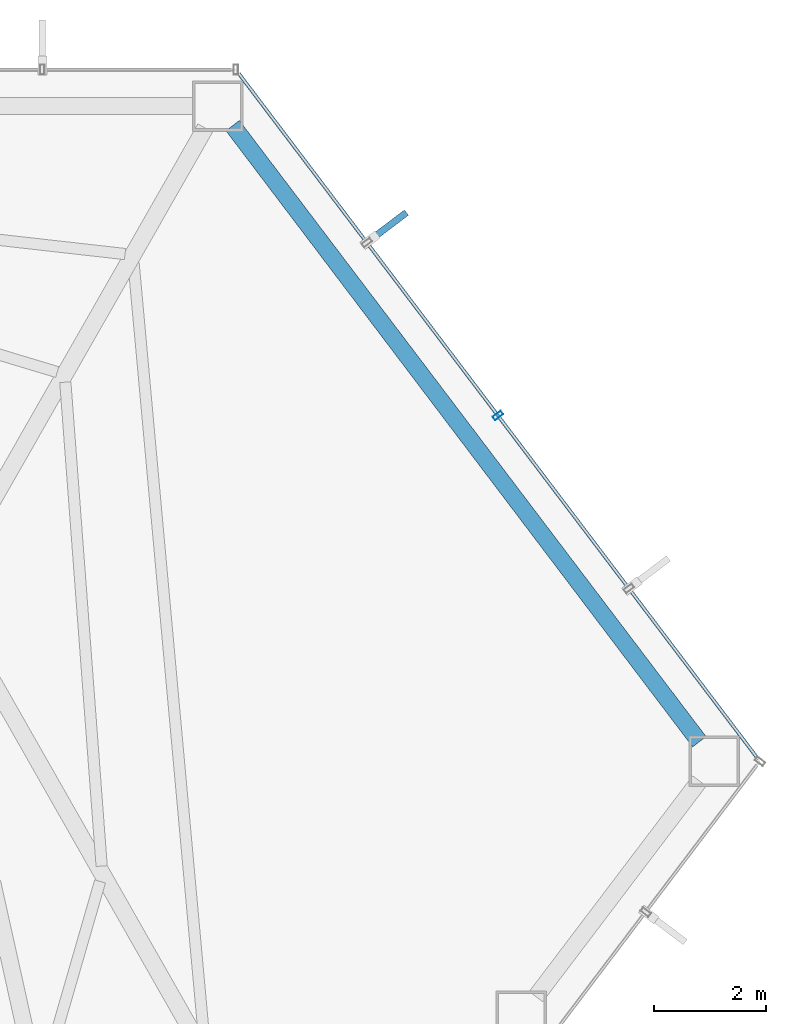
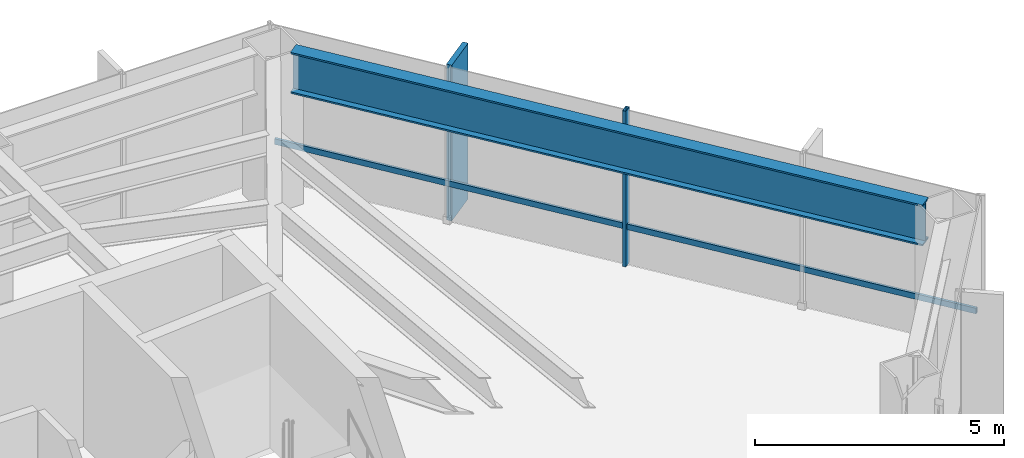
# One storey, part 19 of 24: 3 members, 1 beam, 1 element without a shape of its own.
"""IFC4 building model written with IfcOpenShell, lengths in metres."""

from ifc_helpers import new_model, si_unit, direction, frame, origin, origin_2d, place, context, subcontext, project, spatial, rectangle, hollow_rectangle, i_section, extrude, material, layer, layer_set, material_profile, profile_set, type_object, element, aggregate, save


model = new_model("IFC4")

# Units and contexts
model_context = context("Model", 3, precision=1e-05, world=origin(), true_north=direction((0.0, 1.0)))
body_context = subcontext(model_context, "Body", "Model", "MODEL_VIEW")
ifc_project = project(units=[si_unit("LENGTHUNIT", "METRE"), si_unit("AREAUNIT", "SQUARE_METRE"), si_unit("VOLUMEUNIT", "CUBIC_METRE"), si_unit("PLANEANGLEUNIT", "RADIAN"), si_unit("MASSUNIT", "GRAM", prefix="KILO")], contexts=[model_context])

# Site, building, storey
site_placement = place(None, origin())
site = spatial("IfcSite", under=ifc_project, at=site_placement, CompositionType="ELEMENT")
building_placement = place(site_placement, origin())
building = spatial("IfcBuilding", under=site, at=building_placement, Name="Zarrinselat Tower", CompositionType="ELEMENT")
storey_placement = place(building_placement, frame((0.0, 0.0, 100.97998046875)))
storey = spatial("IfcBuildingStorey", under=building, at=storey_placement, Name="L24", CompositionType="ELEMENT", Elevation=100.97998046875)

# Beam
ifc_material_1 = material(Name="Steel S460M", Category="steel")
ifc_material_profile_1 = material_profile(ifc_material_1, i_section(OverallWidth=0.302001953125, OverallDepth=1.008056640625, WebThickness=0.02099609375, FlangeThickness=0.0400390625, at=origin_2d()), Name="HEM 1000")
ifc_profile_set_1 = profile_set([ifc_material_profile_1], Name="Steel S460M")
beam_type = type_object("IfcBeamType", Name="BM-HEM1000", PredefinedType="BEAM", material=ifc_profile_set_1)
beam_placement = place(storey_placement, frame((52.736083984375, 48.5009765625, 3.31591796875), z_axis=(0.603848484221, -0.797099120627, 0.0), x_axis=(0.797099120627, 0.603848484221, 0.0)))
element("IfcBeam", 1, at=beam_placement, inside=storey, type_object=beam_type, Name="L24 Perimeter Spandrel Girder SP15", PredefinedType="BEAM", context=body_context, shape_type="SweptSolid", body=[
    extrude(i_section(OverallWidth=0.302001953125, OverallDepth=1.008056640625, WebThickness=0.02099609375, FlangeThickness=0.0400390625, at=origin_2d()), origin(), (0.0, 0.0, 1.0), 13.789306640625),
])

# Curtain wall, members
ifc_material_2 = material(Name="Extruded Aluminium Alloy EN AW-6063 T6", Category="aluminium")
ifc_layer = layer(ifc_material_2, 0.18505859375)
ifc_layer_set = layer_set([ifc_layer], Name="Extruded Aluminium Alloy EN AW-6063 T6")
curtain_wall_type = type_object("IfcCurtainWallType", Name="CWS-OFF", PredefinedType="NOTDEFINED", material=ifc_layer_set)
curtain_wall_placement = place(storey_placement, origin())
curtain_wall = element("IfcCurtainWall", 2, at=curtain_wall_placement, inside=storey, type_object=curtain_wall_type, Name="L24 Unitised Curtain Wall CW-L24-E06", PredefinedType="NOTDEFINED")
ifc_material_3 = material(Name="Extruded Aluminium Alloy EN AW-6063 T6", Category="aluminium")
ifc_material_profile_2 = material_profile(ifc_material_3, hollow_rectangle(XDim=0.080078125, YDim=0.179931640625, WallThickness=0.0048828125, at=origin_2d()), Name="RHS 180x80x5")
ifc_profile_set_2 = profile_set([ifc_material_profile_2], Name="Extruded Aluminium Alloy EN AW-6063 T6")
member_type_1 = type_object("IfcMemberType", Name="MEM-CW-MUL", PredefinedType="MULLION", material=ifc_profile_set_2)
member_1_placement = place(storey_placement, frame((57.468505859375, 43.330078125, 0.0), z_axis=(0.0, 0.0, 1.0), x_axis=(-0.6038584342, 0.797091582847, 0.0)))
member_1 = element("IfcMember", 3, at=member_1_placement, type_object=member_type_1, Name="CW-L24-E06 Mullion 2", PredefinedType="MULLION", context=body_context, shape_type="SweptSolid", body=[
    extrude(hollow_rectangle(XDim=0.080078125, YDim=0.179931640625, WallThickness=0.0048828125, at=origin_2d()), origin(), (0.0, 0.0, 1.0), 3.820068359375),
])
ifc_material_4 = material(Name="Extruded Aluminium Alloy EN AW-6063 T6", Category="aluminium")
ifc_material_profile_3 = material_profile(ifc_material_4, hollow_rectangle(XDim=0.06005859375, YDim=0.139892578125, WallThickness=0.00390625, at=origin_2d()), Name="RHS 140x60x4")
ifc_profile_set_3 = profile_set([ifc_material_profile_3], Name="Extruded Aluminium Alloy EN AW-6063 T6")
member_type_2 = type_object("IfcMemberType", Name="MEM-CW-TRN", PredefinedType="USERDEFINED", material=ifc_profile_set_3)
member_2_placement = place(storey_placement, frame((62.08837890625, 37.232177734375, 0.949951171875), z_axis=(-0.603860760063, 0.797089820821, 0.0), x_axis=(-0.797089820821, -0.603860760063, 0.0)))
member_2 = element("IfcMember", 4, at=member_2_placement, type_object=member_type_2, Name="CW-L24-E06 Transom 1", ObjectType="TRANSOM", PredefinedType="USERDEFINED", context=body_context, shape_type="SweptSolid", body=[
    extrude(hollow_rectangle(XDim=0.06005859375, YDim=0.139892578125, WallThickness=0.00390625, at=origin_2d()), origin(), (0.0, 0.0, 1.0), 15.30078125),
])
ifc_material_5 = material(Name="Honed Cream Travertine Stone", Category="masonry")
ifc_material_profile_4 = material_profile(ifc_material_5, rectangle(XDim=0.1201171875, YDim=0.85009765625, at=origin_2d()), Name="FIN 850x120")
ifc_profile_set_4 = profile_set([ifc_material_profile_4], Name="Honed Cream Travertine Stone")
member_type_3 = type_object("IfcMemberType", Name="MEM-STONE-FIN", PredefinedType="USERDEFINED", material=ifc_profile_set_4)
member_3_placement = place(storey_placement, frame((55.498291015625, 46.69287109375, 0.0), z_axis=(0.0, 0.0, 1.0), x_axis=(0.6038584342, -0.797091582847, 0.0)))
member_3 = element("IfcMember", 5, at=member_3_placement, type_object=member_type_3, Name="L24 Stone Shading Fin CW-L24-E06-03", ObjectType="FIN", PredefinedType="USERDEFINED", context=body_context, shape_type="SweptSolid", body=[
    extrude(rectangle(XDim=0.1201171875, YDim=0.85009765625, at=origin_2d()), origin(), (0.0, 0.0, 1.0), 3.820068359375),
])
aggregate(curtain_wall, [member_1, member_3, member_2])

save(model, "model.ifc")
